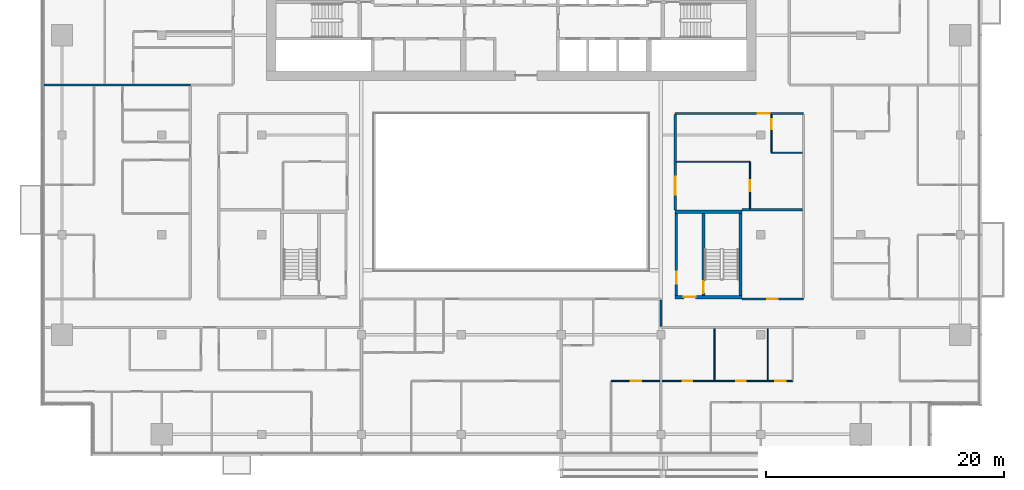
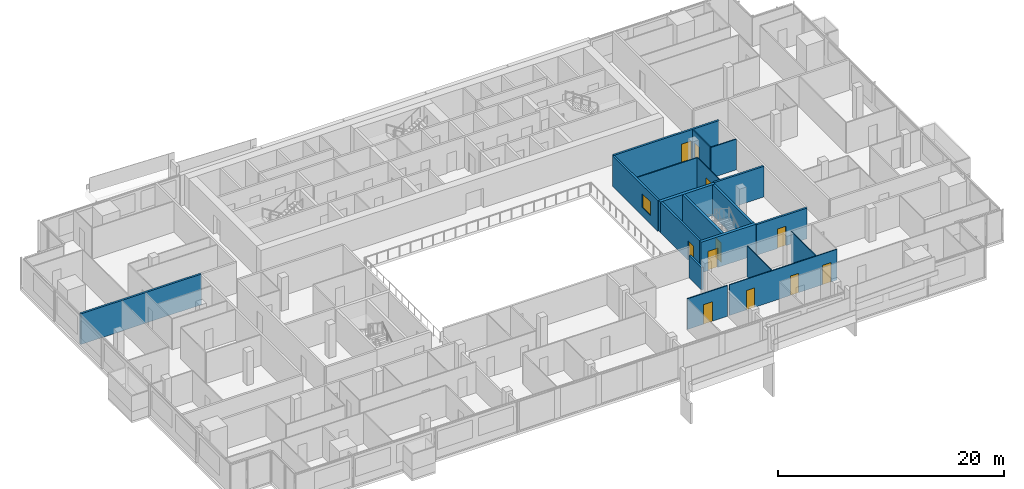
# One storey, part 19 of 28: 19 walls, 11 doors, 1 window, 12 openings.
"""IFC4 building model written with IfcOpenShell, lengths in metres."""

from ifc_helpers import new_model, si_unit, direction, frame, frame_2d, origin, place, context, subcontext, project, spatial, rectangle, extrude, material, layer, layer_set, type_object, element, fill, save


model = new_model("IFC4")

# Units and contexts
model_context = context("Model", 3, precision=1e-05, world=origin(), true_north=direction((0.0, 1.0)))
body_context = subcontext(model_context, "Body", "Model", "MODEL_VIEW")
ifc_project = project(units=[si_unit("LENGTHUNIT", "METRE"), si_unit("AREAUNIT", "SQUARE_METRE"), si_unit("VOLUMEUNIT", "CUBIC_METRE"), si_unit("PLANEANGLEUNIT", "RADIAN"), si_unit("MASSUNIT", "GRAM", prefix="KILO")], contexts=[model_context])

# Site, building, storey
site_placement = place(None, origin())
site = spatial("IfcSite", under=ifc_project, at=site_placement, CompositionType="ELEMENT")
building_placement = place(site_placement, origin())
building = spatial("IfcBuilding", under=site, at=building_placement, Name="Saffron Gate Tower", CompositionType="ELEMENT")
storey_placement = place(building_placement, frame((0.0, 0.0, 176.25)))
storey = spatial("IfcBuildingStorey", under=building, at=storey_placement, Name="L43", CompositionType="ELEMENT", Elevation=176.25)

# Wall, opening, door
ifc_material_1 = material(Name="Gypsum board partition on steel studs", Category="steel")
ifc_layer_1 = layer(ifc_material_1, 0.199951171875)
ifc_layer_set_1 = layer_set([ifc_layer_1], Name="CW10 Core partition 200")
wall_type_1 = type_object("IfcWallType", Name="CW10 Core partition 200", PredefinedType="PARTITIONING", material=ifc_layer_set_1)
wall_1_placement = place(storey_placement, frame((101.5, 43.5, 0.0), z_axis=(0.0, 0.0, 1.0), x_axis=(0.0, 1.0, 0.0)))
wall_1 = element("IfcWall", 1, at=wall_1_placement, inside=storey, type_object=wall_type_1, Name="Wall CW10-L43-E-2", PredefinedType="PARTITIONING", context=body_context, shape_type="SweptSolid", body=[
    extrude(rectangle(XDim=6.89990234375, YDim=0.199951171875, at=frame_2d((3.449951171875, 0.0))), origin(), (0.0, 0.0, 1.0), 3.320068359375),
])
opening_1_placement = place(wall_1_placement, frame((1.0, 0.0, 0.0)))
opening_1 = element("IfcOpeningElement", 2, at=opening_1_placement, cuts=wall_1, Name="Opening CR-22", PredefinedType="OPENING", context=body_context, shape_type="SweptSolid", body=[
    extrude(rectangle(XDim=1.0, YDim=2.10009765625, at=frame_2d((0.5, 1.050048828125))), frame((0.0, 0.10986328125, 0.0), z_axis=(0.0, -1.0, 0.0), x_axis=(1.0, 0.0, 0.0)), (0.0, 0.0, 1.0), 0.219970703125),
])
ifc_material_2 = material(Name="Steel fire door set", Category="steel")
door_type_1 = type_object("IfcDoorType", Name="CD4 Lobby door 1000x2100 EI 120", OperationType="NOTDEFINED", PredefinedType="DOOR", material=ifc_material_2)
door_1_placement = place(opening_1_placement, origin())
door_1 = element("IfcDoor", 3, at=door_1_placement, inside=storey, type_object=door_type_1, Name="DOOR CR-22", OperationType="SINGLE_SWING_LEFT", OverallHeight=2.10009765625, OverallWidth=1.0, PredefinedType="DOOR", context=body_context, shape_type="SweptSolid", body=[
    extrude(rectangle(XDim=1.0, YDim=2.10009765625, at=frame_2d((0.5, 1.050048828125))), frame((0.0, 0.02490234375, 0.0), z_axis=(0.0, -1.0, 0.0), x_axis=(1.0, 0.0, 0.0)), (0.0, 0.0, 1.0), 0.050048828125),
])
fill(opening_1, door_1)

ifc_material_3 = material(Name="Concrete C60", Category="concrete")
ifc_layer_2 = layer(ifc_material_3, 0.25)
ifc_layer_set_2 = layer_set([ifc_layer_2], Name="CW14 RC core wall 250 C60")
wall_type_2 = type_object("IfcWallType", Name="CW14 RC core wall 250 C60", PredefinedType="SOLIDWALL", material=ifc_layer_set_2)
wall_2_placement = place(storey_placement, frame((103.77490234375, 43.5, 0.0), z_axis=(0.0, 0.0, 1.0), x_axis=(0.0, 1.0, 0.0)))
wall_2 = element("IfcWall", 4, at=wall_2_placement, inside=storey, type_object=wall_type_2, Name="Wall CW14-L43-E-3", PredefinedType="SOLIDWALL", context=body_context, shape_type="SweptSolid", body=[
    extrude(rectangle(XDim=6.89990234375, YDim=0.25, at=frame_2d((3.449951171875, 0.0))), origin(), (0.0, 0.0, 1.0), 3.320068359375),
])
opening_2_placement = place(wall_2_placement, frame((0.199951171875, 0.0, 0.0)))
opening_2 = element("IfcOpeningElement", 5, at=opening_2_placement, cuts=wall_2, Name="Opening CR-23", PredefinedType="OPENING", context=body_context, shape_type="SweptSolid", body=[
    extrude(rectangle(XDim=1.0, YDim=2.10009765625, at=frame_2d((0.5, 1.050048828125))), frame((0.0, 0.135009765625, 0.0), z_axis=(0.0, -1.0, 0.0), x_axis=(1.0, 0.0, 0.0)), (0.0, 0.0, 1.0), 0.27001953125),
])
door_type_2 = type_object("IfcDoorType", Name="CD5 Stair door 1000x2100 EI 120", OperationType="NOTDEFINED", PredefinedType="DOOR", material=ifc_material_2)
door_2_placement = place(opening_2_placement, origin())
door_2 = element("IfcDoor", 6, at=door_2_placement, inside=storey, type_object=door_type_2, Name="DOOR CR-23", OperationType="SINGLE_SWING_RIGHT", OverallHeight=2.10009765625, OverallWidth=1.0, PredefinedType="DOOR", context=body_context, shape_type="SweptSolid", body=[
    extrude(rectangle(XDim=1.0, YDim=2.10009765625, at=frame_2d((0.5, 1.050048828125))), frame((0.0, 0.02490234375, 0.0), z_axis=(0.0, -1.0, 0.0), x_axis=(1.0, 0.0, 0.0)), (0.0, 0.0, 1.0), 0.050048828125),
])
fill(opening_2, door_2)

# Wall
wall_3_placement = place(storey_placement, frame((106.875, 43.5, 0.0), z_axis=(0.0, 0.0, 1.0), x_axis=(0.0, 1.0, 0.0)))
element("IfcWall", 7, at=wall_3_placement, inside=storey, type_object=wall_type_2, Name="Wall CW14-L43-E-4", PredefinedType="SOLIDWALL", context=body_context, shape_type="SweptSolid", body=[
    extrude(rectangle(XDim=6.89990234375, YDim=0.25, at=frame_2d((3.449951171875, 0.0))), origin(), (0.0, 0.0, 1.0), 3.320068359375),
])

# Wall, opening, door
ifc_layer_3 = layer(ifc_material_3, 0.300048828125)
ifc_layer_set_3 = layer_set([ifc_layer_3], Name="CW17 RC core wall 300 C60")
wall_type_3 = type_object("IfcWallType", Name="CW17 RC core wall 300 C60", PredefinedType="SOLIDWALL", material=ifc_layer_set_3)
wall_4_placement = place(storey_placement, frame((101.39990234375, 43.35009765625, 0.0), z_axis=(0.0, 0.0, 1.0), x_axis=(1.0, 0.0, 0.0)))
wall_4 = element("IfcWall", 8, at=wall_4_placement, inside=storey, type_object=wall_type_3, Name="Wall CW17-L43-E-1", PredefinedType="SOLIDWALL", context=body_context, shape_type="SweptSolid", body=[
    extrude(rectangle(XDim=5.60009765625, YDim=0.300048828125, at=frame_2d((2.800048828125, 0.0))), origin(), (0.0, 0.0, 1.0), 3.320068359375),
])
opening_3_placement = place(wall_4_placement, frame((0.72509765625, 0.0, 0.0)))
opening_3 = element("IfcOpeningElement", 9, at=opening_3_placement, cuts=wall_4, Name="Opening CR-21", PredefinedType="OPENING", context=body_context, shape_type="SweptSolid", body=[
    extrude(rectangle(XDim=1.0, YDim=2.10009765625, at=frame_2d((0.5, 1.050048828125))), frame((0.0, 0.16015625, 0.0), z_axis=(0.0, -1.0, 0.0), x_axis=(1.0, 0.0, 0.0)), (0.0, 0.0, 1.0), 0.320068359375),
])
door_3_placement = place(opening_3_placement, origin())
door_3 = element("IfcDoor", 10, at=door_3_placement, inside=storey, type_object=door_type_1, Name="DOOR CR-21", OperationType="SINGLE_SWING_RIGHT", OverallHeight=2.10009765625, OverallWidth=1.0, PredefinedType="DOOR", context=body_context, shape_type="SweptSolid", body=[
    extrude(rectangle(XDim=1.0, YDim=2.10009765625, at=frame_2d((0.5, 1.050048828125))), frame((0.0, 0.02490234375, 0.0), z_axis=(0.0, -1.0, 0.0), x_axis=(1.0, 0.0, 0.0)), (0.0, 0.0, 1.0), 0.050048828125),
])
fill(opening_3, door_3)

# Walls
wall_5_placement = place(storey_placement, frame((101.39990234375, 50.550048828125, 0.0), z_axis=(0.0, 0.0, 1.0), x_axis=(1.0, 0.0, 0.0)))
element("IfcWall", 11, at=wall_5_placement, inside=storey, type_object=wall_type_3, Name="Wall CW17-L43-E-5", PredefinedType="SOLIDWALL", context=body_context, shape_type="SweptSolid", body=[
    extrude(rectangle(XDim=5.60009765625, YDim=0.300048828125, at=frame_2d((2.800048828125, 0.0))), origin(), (0.0, 0.0, 1.0), 3.320068359375),
])
ifc_material_4 = material(Name="Plasterboard on steel studs", Category="steel")
ifc_layer_4 = layer(ifc_material_4, 0.10009765625)
ifc_layer_set_4 = layer_set([ifc_layer_4], Name="PW1 Partition 100")
wall_type_4 = type_object("IfcWallType", Name="PW1 Partition 100", PredefinedType="PARTITIONING", material=ifc_layer_set_4)
wall_6_placement = place(storey_placement, frame((101.5, 54.75, 0.0), z_axis=(0.0, 0.0, 1.0), x_axis=(1.0, 0.0, 0.0)))
element("IfcWall", 12, at=wall_6_placement, inside=storey, type_object=wall_type_4, Name="Partition C3-31", PredefinedType="PARTITIONING", context=body_context, shape_type="SweptSolid", body=[
    extrude(rectangle(XDim=6.199951171875, YDim=0.10009765625, at=frame_2d((3.10009765625, 0.0))), origin(), (0.0, 0.0, 1.0), 3.320068359375),
])
wall_7_placement = place(storey_placement, frame((109.5, 55.5, 0.0), z_axis=(0.0, 0.0, 1.0), x_axis=(1.0, 0.0, 0.0)))
element("IfcWall", 13, at=wall_7_placement, inside=storey, type_object=wall_type_4, Name="Partition C3-34", PredefinedType="PARTITIONING", context=body_context, shape_type="SweptSolid", body=[
    extrude(rectangle(XDim=2.60009765625, YDim=0.10009765625, at=frame_2d((1.300048828125, 0.0))), origin(), (0.0, 0.0, 1.0), 3.320068359375),
])
wall_8_placement = place(storey_placement, frame((104.699951171875, 40.699951171875, 0.0), z_axis=(0.0, 0.0, 1.0), x_axis=(0.0, -1.0, 0.0)))
element("IfcWall", 14, at=wall_8_placement, inside=storey, type_object=wall_type_4, Name="Partition C3-98", PredefinedType="PARTITIONING", context=body_context, shape_type="SweptSolid", body=[
    extrude(rectangle(XDim=4.349853515625, YDim=0.10009765625, at=frame_2d((2.1748046875, 0.0))), origin(), (0.0, 0.0, 1.0), 3.320068359375),
])

# Wall, opening, door
wall_9_placement = place(storey_placement, frame((107.699951171875, 50.800048828125, 0.0), z_axis=(0.0, 0.0, 1.0), x_axis=(0.0, 1.0, 0.0)))
wall_9 = element("IfcWall", 15, at=wall_9_placement, inside=storey, type_object=wall_type_4, Name="Partition C3-99", PredefinedType="PARTITIONING", context=body_context, shape_type="SweptSolid", body=[
    extrude(rectangle(XDim=3.89990234375, YDim=0.10009765625, at=frame_2d((1.949951171875, 0.0))), origin(), (0.0, 0.0, 1.0), 3.320068359375),
])
opening_4_placement = place(wall_9_placement, frame((1.47509765625, 0.0, 0.0)))
opening_4 = element("IfcOpeningElement", 16, at=opening_4_placement, cuts=wall_9, Name="Opening C3-39", PredefinedType="OPENING", context=body_context, shape_type="SweptSolid", body=[
    extrude(rectangle(XDim=0.89990234375, YDim=2.10009765625, at=frame_2d((0.449951171875, 1.050048828125))), frame((0.0, 0.06005859375, 0.0), z_axis=(0.0, -1.0, 0.0), x_axis=(1.0, 0.0, 0.0)), (0.0, 0.0, 1.0), 0.1201171875),
])
ifc_material_5 = material(Name="Timber door set", Category="wood")
door_type_3 = type_object("IfcDoorType", Name="RD1 Room door 900x2100", OperationType="NOTDEFINED", PredefinedType="DOOR", material=ifc_material_5)
door_4_placement = place(opening_4_placement, origin())
door_4 = element("IfcDoor", 17, at=door_4_placement, inside=storey, type_object=door_type_3, Name="Door C3-39", OperationType="SINGLE_SWING_LEFT", OverallHeight=2.10009765625, OverallWidth=0.89990234375, PredefinedType="DOOR", context=body_context, shape_type="SweptSolid", body=[
    extrude(rectangle(XDim=0.89990234375, YDim=2.10009765625, at=frame_2d((0.449951171875, 1.050048828125))), frame((0.0, 0.02490234375, 0.0), z_axis=(0.0, -1.0, 0.0), x_axis=(1.0, 0.0, 0.0)), (0.0, 0.0, 1.0), 0.050048828125),
])
fill(opening_4, door_4)

# Wall
wall_10_placement = place(storey_placement, frame((109.199951171875, 40.699951171875, 0.0), z_axis=(0.0, 0.0, 1.0), x_axis=(0.0, -1.0, 0.0)))
element("IfcWall", 18, at=wall_10_placement, inside=storey, type_object=wall_type_4, Name="Partition C3-102", PredefinedType="PARTITIONING", context=body_context, shape_type="SweptSolid", body=[
    extrude(rectangle(XDim=4.349853515625, YDim=0.10009765625, at=frame_2d((2.1748046875, 0.0))), origin(), (0.0, 0.0, 1.0), 3.320068359375),
])

# Wall, opening, door
wall_11_placement = place(storey_placement, frame((109.5, 58.699951171875, 0.0), z_axis=(0.0, 0.0, 1.0), x_axis=(0.0, -1.0, 0.0)))
wall_11 = element("IfcWall", 19, at=wall_11_placement, inside=storey, type_object=wall_type_4, Name="Partition C3-103", PredefinedType="PARTITIONING", context=body_context, shape_type="SweptSolid", body=[
    extrude(rectangle(XDim=3.14990234375, YDim=0.10009765625, at=frame_2d((1.574951171875, 0.0))), origin(), (0.0, 0.0, 1.0), 3.320068359375),
])
opening_5_placement = place(wall_11_placement, frame((0.39990234375, 0.0, 0.0)))
opening_5 = element("IfcOpeningElement", 20, at=opening_5_placement, cuts=wall_11, Name="Opening C3-54", PredefinedType="OPENING", context=body_context, shape_type="SweptSolid", body=[
    extrude(rectangle(XDim=0.800048828125, YDim=2.10009765625, at=frame_2d((0.39990234375, 1.050048828125))), frame((0.0, 0.06005859375, 0.0), z_axis=(0.0, -1.0, 0.0), x_axis=(1.0, 0.0, 0.0)), (0.0, 0.0, 1.0), 0.1201171875),
])
door_type_4 = type_object("IfcDoorType", Name="RD2 Bathroom door 800x2100", OperationType="NOTDEFINED", PredefinedType="DOOR", material=ifc_material_5)
door_5_placement = place(opening_5_placement, origin())
door_5 = element("IfcDoor", 21, at=door_5_placement, inside=storey, type_object=door_type_4, Name="Door C3-54", OperationType="SINGLE_SWING_LEFT", OverallHeight=2.10009765625, OverallWidth=0.800048828125, PredefinedType="DOOR", context=body_context, shape_type="SweptSolid", body=[
    extrude(rectangle(XDim=0.800048828125, YDim=2.10009765625, at=frame_2d((0.39990234375, 1.050048828125))), frame((0.0, 0.02490234375, 0.0), z_axis=(0.0, -1.0, 0.0), x_axis=(1.0, 0.0, 0.0)), (0.0, 0.0, 1.0), 0.050048828125),
])
fill(opening_5, door_5)

wall_12_placement = place(storey_placement, frame((100.10009765625, 36.300048828125, 0.0), z_axis=(0.0, 0.0, 1.0), x_axis=(-1.0, 0.0, 0.0)))
wall_12 = element("IfcWall", 22, at=wall_12_placement, inside=storey, type_object=wall_type_4, Name="Partition C3-119", PredefinedType="PARTITIONING", context=body_context, shape_type="SweptSolid", body=[
    extrude(rectangle(XDim=4.10009765625, YDim=0.10009765625, at=frame_2d((2.050048828125, 0.0))), origin(), (0.0, 0.0, 1.0), 3.320068359375),
])
opening_6_placement = place(wall_12_placement, frame((1.550048828125, 0.0, 0.0)))
opening_6 = element("IfcOpeningElement", 23, at=opening_6_placement, cuts=wall_12, Name="Opening C3-19", PredefinedType="OPENING", context=body_context, shape_type="SweptSolid", body=[
    extrude(rectangle(XDim=0.89990234375, YDim=2.10009765625, at=frame_2d((0.449951171875, 1.050048828125))), frame((0.0, 0.06005859375, 0.0), z_axis=(0.0, -1.0, 0.0), x_axis=(1.0, 0.0, 0.0)), (0.0, 0.0, 1.0), 0.1201171875),
])
door_6_placement = place(opening_6_placement, origin())
door_6 = element("IfcDoor", 24, at=door_6_placement, inside=storey, type_object=door_type_3, Name="Door C3-19", OperationType="SINGLE_SWING_LEFT", OverallHeight=2.10009765625, OverallWidth=0.89990234375, PredefinedType="DOOR", context=body_context, shape_type="SweptSolid", body=[
    extrude(rectangle(XDim=0.89990234375, YDim=2.10009765625, at=frame_2d((0.449951171875, 1.050048828125))), frame((0.0, 0.02490234375, 0.0), z_axis=(0.0, -1.0, 0.0), x_axis=(1.0, 0.0, 0.0)), (0.0, 0.0, 1.0), 0.050048828125),
])
fill(opening_6, door_6)

# Wall, openings, doors
wall_13_placement = place(storey_placement, frame((100.300048828125, 36.300048828125, 0.0), z_axis=(0.0, 0.0, 1.0), x_axis=(1.0, 0.0, 0.0)))
wall_13 = element("IfcWall", 25, at=wall_13_placement, inside=storey, type_object=wall_type_4, Name="Partition C3-120", PredefinedType="PARTITIONING", context=body_context, shape_type="SweptSolid", body=[
    extrude(rectangle(XDim=11.0, YDim=0.10009765625, at=frame_2d((5.5, 0.0))), origin(), (0.0, 0.0, 1.0), 3.320068359375),
])
opening_7_placement = place(wall_13_placement, frame((1.75, 0.0, 0.0)))
opening_7 = element("IfcOpeningElement", 26, at=opening_7_placement, cuts=wall_13, Name="Opening C3-45", PredefinedType="OPENING", context=body_context, shape_type="SweptSolid", body=[
    extrude(rectangle(XDim=0.800048828125, YDim=2.10009765625, at=frame_2d((0.39990234375, 1.050048828125))), frame((0.0, 0.06005859375, 0.0), z_axis=(0.0, -1.0, 0.0), x_axis=(1.0, 0.0, 0.0)), (0.0, 0.0, 1.0), 0.1201171875),
])
opening_8_placement = place(wall_13_placement, frame((6.25, 0.0, 0.0)))
opening_8 = element("IfcOpeningElement", 27, at=opening_8_placement, cuts=wall_13, Name="Opening C3-46", PredefinedType="OPENING", context=body_context, shape_type="SweptSolid", body=[
    extrude(rectangle(XDim=0.800048828125, YDim=2.10009765625, at=frame_2d((0.39990234375, 1.050048828125))), frame((0.0, 0.06005859375, 0.0), z_axis=(0.0, -1.0, 0.0), x_axis=(1.0, 0.0, 0.0)), (0.0, 0.0, 1.0), 0.1201171875),
])
opening_9_placement = place(wall_13_placement, frame((9.5, 0.0, 0.0)))
opening_9 = element("IfcOpeningElement", 28, at=opening_9_placement, cuts=wall_13, Name="Opening C3-25", PredefinedType="OPENING", context=body_context, shape_type="SweptSolid", body=[
    extrude(rectangle(XDim=0.89990234375, YDim=2.10009765625, at=frame_2d((0.449951171875, 1.050048828125))), frame((0.0, 0.06005859375, 0.0), z_axis=(0.0, -1.0, 0.0), x_axis=(1.0, 0.0, 0.0)), (0.0, 0.0, 1.0), 0.1201171875),
])
door_7_placement = place(opening_9_placement, origin())
door_7 = element("IfcDoor", 29, at=door_7_placement, inside=storey, type_object=door_type_3, Name="Door C3-25", OperationType="SINGLE_SWING_RIGHT", OverallHeight=2.10009765625, OverallWidth=0.89990234375, PredefinedType="DOOR", context=body_context, shape_type="SweptSolid", body=[
    extrude(rectangle(XDim=0.89990234375, YDim=2.10009765625, at=frame_2d((0.449951171875, 1.050048828125))), frame((0.0, 0.02490234375, 0.0), z_axis=(0.0, -1.0, 0.0), x_axis=(1.0, 0.0, 0.0)), (0.0, 0.0, 1.0), 0.050048828125),
])
fill(opening_9, door_7)
door_8_placement = place(opening_7_placement, origin())
door_8 = element("IfcDoor", 30, at=door_8_placement, inside=storey, type_object=door_type_4, Name="Door C3-45", OperationType="SINGLE_SWING_LEFT", OverallHeight=2.10009765625, OverallWidth=0.800048828125, PredefinedType="DOOR", context=body_context, shape_type="SweptSolid", body=[
    extrude(rectangle(XDim=0.800048828125, YDim=2.10009765625, at=frame_2d((0.39990234375, 1.050048828125))), frame((0.0, 0.02490234375, 0.0), z_axis=(0.0, -1.0, 0.0), x_axis=(1.0, 0.0, 0.0)), (0.0, 0.0, 1.0), 0.050048828125),
])
fill(opening_7, door_8)
door_9_placement = place(opening_8_placement, origin())
door_9 = element("IfcDoor", 31, at=door_9_placement, inside=storey, type_object=door_type_4, Name="Door C3-46", OperationType="SINGLE_SWING_RIGHT", OverallHeight=2.10009765625, OverallWidth=0.800048828125, PredefinedType="DOOR", context=body_context, shape_type="SweptSolid", body=[
    extrude(rectangle(XDim=0.800048828125, YDim=2.10009765625, at=frame_2d((0.39990234375, 1.050048828125))), frame((0.0, 0.02490234375, 0.0), z_axis=(0.0, -1.0, 0.0), x_axis=(1.0, 0.0, 0.0)), (0.0, 0.0, 1.0), 0.050048828125),
])
fill(opening_8, door_9)

# Walls
ifc_material_6 = material(Name="Clay brick masonry, rendered", Category="masonry")
ifc_layer_5 = layer(ifc_material_6, 0.199951171875)
ifc_layer_set_5 = layer_set([ifc_layer_5], Name="PW2 Demising wall 200")
wall_type_5 = type_object("IfcWallType", Name="PW2 Demising wall 200", PredefinedType="PARTITIONING", material=ifc_layer_set_5)
wall_14_placement = place(storey_placement, frame((107.0, 50.699951171875, 0.0), z_axis=(0.0, 0.0, 1.0), x_axis=(1.0, 0.0, 0.0)))
element("IfcWall", 32, at=wall_14_placement, inside=storey, type_object=wall_type_5, Name="Wall C3-27", PredefinedType="PARTITIONING", context=body_context, shape_type="SweptSolid", body=[
    extrude(rectangle(XDim=5.10009765625, YDim=0.199951171875, at=frame_2d((2.550048828125, 0.0))), origin(), (0.0, 0.0, 1.0), 3.320068359375),
])
wall_15_placement = place(storey_placement, frame((48.280029296875, 61.199951171875, 0.0), z_axis=(0.0, 0.0, 1.0), x_axis=(1.0, 0.0, 0.0)))
element("IfcWall", 33, at=wall_15_placement, inside=storey, type_object=wall_type_5, Name="Wall C3-43", PredefinedType="PARTITIONING", context=body_context, shape_type="SweptSolid", body=[
    extrude(rectangle(XDim=12.320068359375, YDim=0.199951171875, at=frame_2d((6.16015625, 0.0))), origin(), (0.0, 0.0, 1.0), 3.320068359375),
])

# Wall, opening, door
ifc_layer_6 = layer(ifc_material_6, 0.199951171875)
ifc_layer_set_6 = layer_set([ifc_layer_6], Name="PW3 Corridor wall 200")
wall_type_6 = type_object("IfcWallType", Name="PW3 Corridor wall 200", PredefinedType="PARTITIONING", material=ifc_layer_set_6)
wall_16_placement = place(storey_placement, frame((107.0, 43.199951171875, 0.0), z_axis=(0.0, 0.0, 1.0), x_axis=(1.0, 0.0, 0.0)))
wall_16 = element("IfcWall", 34, at=wall_16_placement, inside=storey, type_object=wall_type_6, Name="Wall C3-16", PredefinedType="PARTITIONING", context=body_context, shape_type="SweptSolid", body=[
    extrude(rectangle(XDim=5.199951171875, YDim=0.199951171875, at=frame_2d((2.60009765625, 0.0))), origin(), (0.0, 0.0, 1.0), 3.320068359375),
])
opening_10_placement = place(wall_16_placement, frame((2.14990234375, 0.0, 0.0)))
opening_10 = element("IfcOpeningElement", 35, at=opening_10_placement, cuts=wall_16, Name="Opening C3-55", PredefinedType="OPENING", context=body_context, shape_type="SweptSolid", body=[
    extrude(rectangle(XDim=0.89990234375, YDim=2.10009765625, at=frame_2d((0.449951171875, 1.050048828125))), frame((0.0, 0.10986328125, 0.0), z_axis=(0.0, -1.0, 0.0), x_axis=(1.0, 0.0, 0.0)), (0.0, 0.0, 1.0), 0.219970703125),
])
door_type_5 = type_object("IfcDoorType", Name="SD1 Service door 900x2100", OperationType="NOTDEFINED", PredefinedType="DOOR", material=ifc_material_2)
door_10_placement = place(opening_10_placement, origin())
door_10 = element("IfcDoor", 36, at=door_10_placement, inside=storey, type_object=door_type_5, Name="Door C3-55", OperationType="SINGLE_SWING_LEFT", OverallHeight=2.10009765625, OverallWidth=0.89990234375, PredefinedType="DOOR", context=body_context, shape_type="SweptSolid", body=[
    extrude(rectangle(XDim=0.89990234375, YDim=2.10009765625, at=frame_2d((0.449951171875, 1.050048828125))), frame((0.0, 0.02490234375, 0.0), z_axis=(0.0, -1.0, 0.0), x_axis=(1.0, 0.0, 0.0)), (0.0, 0.0, 1.0), 0.050048828125),
])
fill(opening_10, door_10)

wall_17_placement = place(storey_placement, frame((112.199951171875, 58.800048828125, 0.0), z_axis=(0.0, 0.0, 1.0), x_axis=(-1.0, 0.0, 0.0)))
wall_17 = element("IfcWall", 37, at=wall_17_placement, inside=storey, type_object=wall_type_6, Name="Wall C3-39", PredefinedType="PARTITIONING", context=body_context, shape_type="SweptSolid", body=[
    extrude(rectangle(XDim=10.800048828125, YDim=0.199951171875, at=frame_2d((5.39990234375, 0.0))), origin(), (0.0, 0.0, 1.0), 3.320068359375),
])
opening_11_placement = place(wall_17_placement, frame((2.85009765625, 0.0, 0.0)))
opening_11 = element("IfcOpeningElement", 38, at=opening_11_placement, cuts=wall_17, Name="Opening C3-10", PredefinedType="OPENING", context=body_context, shape_type="SweptSolid", body=[
    extrude(rectangle(XDim=1.0, YDim=2.10009765625, at=frame_2d((0.5, 1.050048828125))), frame((0.0, 0.10986328125, 0.0), z_axis=(0.0, -1.0, 0.0), x_axis=(1.0, 0.0, 0.0)), (0.0, 0.0, 1.0), 0.219970703125),
])
ifc_material_7 = material(Name="Timber fire door set", Category="wood")
door_type_6 = type_object("IfcDoorType", Name="FD1 Flat entry door 1000x2100", OperationType="NOTDEFINED", PredefinedType="DOOR", material=ifc_material_7)
door_11_placement = place(opening_11_placement, origin())
door_11 = element("IfcDoor", 39, at=door_11_placement, inside=storey, type_object=door_type_6, Name="Door C3-10", OperationType="SINGLE_SWING_LEFT", OverallHeight=2.10009765625, OverallWidth=1.0, PredefinedType="DOOR", context=body_context, shape_type="SweptSolid", body=[
    extrude(rectangle(XDim=1.0, YDim=2.10009765625, at=frame_2d((0.5, 1.050048828125))), frame((0.0, 0.02490234375, 0.0), z_axis=(0.0, -1.0, 0.0), x_axis=(1.0, 0.0, 0.0)), (0.0, 0.0, 1.0), 0.050048828125),
])
fill(opening_11, door_11)

# Wall
wall_18_placement = place(storey_placement, frame((100.199951171875, 43.10009765625, 0.0), z_axis=(0.0, 0.0, 1.0), x_axis=(0.0, -1.0, 0.0)))
element("IfcWall", 40, at=wall_18_placement, inside=storey, type_object=wall_type_6, Name="Wall C3-93", PredefinedType="PARTITIONING", context=body_context, shape_type="SweptSolid", body=[
    extrude(rectangle(XDim=2.2001953125, YDim=0.199951171875, at=frame_2d((1.10009765625, 0.0))), origin(), (0.0, 0.0, 1.0), 2.429931640625),
])

# Wall, opening, window
wall_19_placement = place(storey_placement, frame((101.39990234375, 58.699951171875, 0.0), z_axis=(0.0, 0.0, 1.0), x_axis=(0.0, -1.0, 0.0)))
wall_19 = element("IfcWall", 41, at=wall_19_placement, inside=storey, type_object=wall_type_6, Name="Wall C3-96", PredefinedType="PARTITIONING", context=body_context, shape_type="SweptSolid", body=[
    extrude(rectangle(XDim=8.0, YDim=0.199951171875, at=frame_2d((4.0, 0.0))), origin(), (0.0, 0.0, 1.0), 3.320068359375),
])
opening_12_placement = place(wall_19_placement, frame((5.22509765625, 0.0, 0.89990234375)))
opening_12 = element("IfcOpeningElement", 42, at=opening_12_placement, cuts=wall_19, Name="Opening GW1", PredefinedType="OPENING", context=body_context, shape_type="SweptSolid", body=[
    extrude(rectangle(XDim=1.5, YDim=1.5, at=frame_2d((0.75, 0.75))), frame((0.0, 0.10986328125, 0.0), z_axis=(0.0, -1.0, 0.0), x_axis=(1.0, 0.0, 0.0)), (0.0, 0.0, 1.0), 0.219970703125),
])
ifc_material_8 = material(Name="Fire-resisting laminated glass in steel frame", Category="steel")
ifc_layer_7 = layer(ifc_material_8, 0.06005859375)
ifc_layer_set_7 = layer_set([ifc_layer_7], Name="GW1 Gallery window 1500x1500")
window_type = type_object("IfcWindowType", Name="GW1 Gallery window 1500x1500", PartitioningType="SINGLE_PANEL", PredefinedType="WINDOW", material=ifc_layer_set_7)
window_placement = place(opening_12_placement, origin())
window = element("IfcWindow", 43, at=window_placement, inside=storey, type_object=window_type, Name="GW1 window C3-K-B1", OverallHeight=1.5, OverallWidth=1.5, PartitioningType="SINGLE_PANEL", PredefinedType="WINDOW", context=body_context, shape_type="SweptSolid", body=[
    extrude(rectangle(XDim=1.5, YDim=1.5, at=frame_2d((0.75, 0.75))), frame((0.0, 0.030029296875, 0.0), z_axis=(0.0, -1.0, 0.0), x_axis=(1.0, 0.0, 0.0)), (0.0, 0.0, 1.0), 0.06005859375),
])
fill(opening_12, window)

save(model, "model.ifc")
